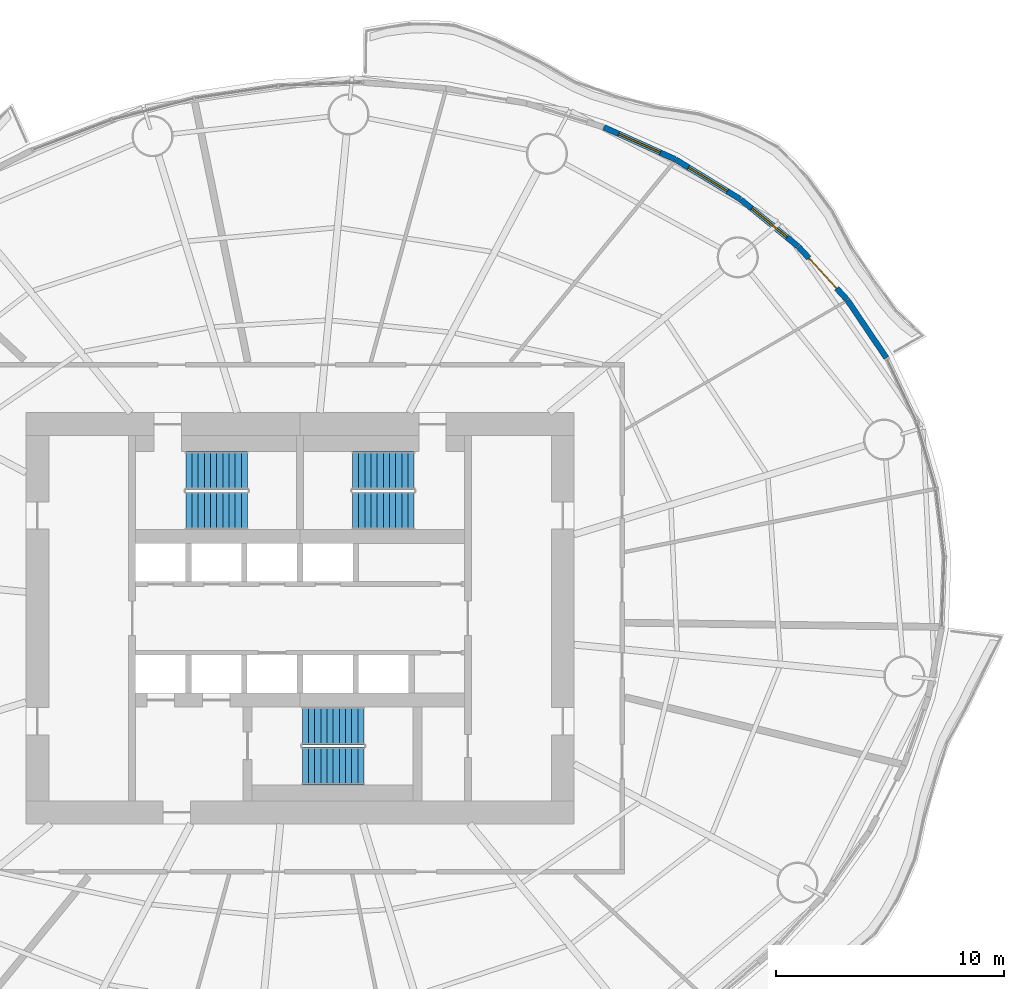
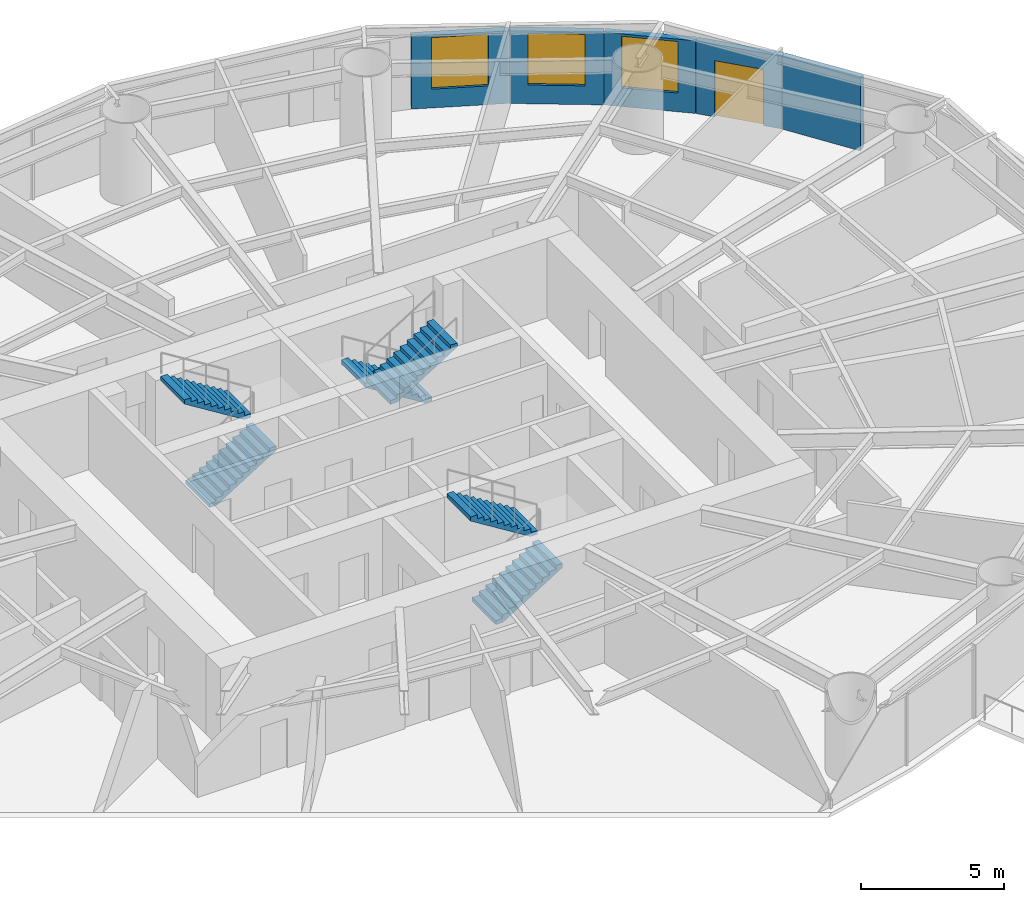
# One storey, part 11 of 16: 6 stair flights, 5 walls, 3 windows, 1 door, 4 openings, 3 elements without a shape of their own.
"""IFC4 building model written with IfcOpenShell, lengths in metres."""

from ifc_helpers import new_model, si_unit, direction, frame, frame_2d, origin, place, context, subcontext, project, spatial, polyline, rectangle, outline, extrude, material, layer, layer_set, type_object, element, fill, aggregate, save


model = new_model("IFC4")

# Units and contexts
model_context = context("Model", 3, precision=1e-05, world=origin(), true_north=direction((0.0, 1.0)))
body_context = subcontext(model_context, "Body", "Model", "MODEL_VIEW")
ifc_project = project(units=[si_unit("LENGTHUNIT", "METRE"), si_unit("AREAUNIT", "SQUARE_METRE"), si_unit("VOLUMEUNIT", "CUBIC_METRE"), si_unit("PLANEANGLEUNIT", "RADIAN"), si_unit("MASSUNIT", "GRAM", prefix="KILO")], contexts=[model_context])

# Site, building, storey
site_placement = place(None, origin())
site = spatial("IfcSite", under=ifc_project, at=site_placement, CompositionType="ELEMENT")
building_placement = place(site_placement, origin())
building = spatial("IfcBuilding", under=site, at=building_placement, Name="Vermilion Reach Broadcast Tower", CompositionType="ELEMENT")
storey_placement = place(building_placement, frame((0.0, 0.0, 80.39990234375)))
storey = spatial("IfcBuildingStorey", under=building, at=storey_placement, Name="L17", CompositionType="ELEMENT", Elevation=80.39990234375)

# Wall
ifc_material_1 = material(Name="Terracotta rainscreen cladding", Category="masonry")
ifc_layer = layer(ifc_material_1, 0.25)
ifc_layer_set = layer_set([ifc_layer], Name="Terracotta rainscreen wall 250")
wall_type = type_object("IfcWallType", Name="Terracotta rainscreen wall 250", PredefinedType="SOLIDWALL", material=ifc_layer_set)
wall_1_placement = place(storey_placement, frame((19.67138671875, 11.404541015625, 0.0), z_axis=(0.0, 0.0, 1.0), x_axis=(-0.559489400894, 0.828837505357, 0.0)))
element("IfcWall", 1, at=wall_1_placement, inside=storey, type_object=wall_type, Name="External wall L17 02", PredefinedType="SOLIDWALL", context=body_context, shape_type="SweptSolid", body=[
    extrude(rectangle(XDim=3.041015625, YDim=0.25, at=frame_2d((1.5205078125, 0.0))), origin(), (0.0, 0.0, 1.0), 3.10009765625),
])

# Wall, opening, door
wall_2_placement = place(storey_placement, frame((17.953369140625, 13.94580078125, 0.0), z_axis=(0.0, 0.0, 1.0), x_axis=(-0.676334681742, 0.736594459844, 0.0)))
wall_2 = element("IfcWall", 2, at=wall_2_placement, inside=storey, type_object=wall_type, Name="External wall L17 03", PredefinedType="SOLIDWALL", context=body_context, shape_type="SweptSolid", body=[
    extrude(rectangle(XDim=3.152099609375, YDim=0.25, at=frame_2d((1.576171875, 0.0))), origin(), (0.0, 0.0, 1.0), 3.10009765625),
])
opening_1_placement = place(wall_2_placement, frame((0.676025390625, 0.0, 0.0)))
opening_1 = element("IfcOpeningElement", 3, at=opening_1_placement, cuts=wall_2, Name="Opening D70", PredefinedType="OPENING", context=body_context, shape_type="SweptSolid", body=[
    extrude(rectangle(XDim=1.800048828125, YDim=2.39990234375, at=frame_2d((0.89990234375, 1.199951171875))), frame((0.0, 0.135009765625, 0.0), z_axis=(0.0, -1.0, 0.0), x_axis=(1.0, 0.0, 0.0)), (0.0, 0.0, 1.0), 0.27001953125),
])
ifc_material_2 = material(Name="Low-e laminated clear glass in aluminium frame", Category="aluminium")
door_type = type_object("IfcDoorType", Name="Balcony sliding door 1800 x 2400", OperationType="DOUBLE_DOOR_SLIDING", PredefinedType="DOOR", material=ifc_material_2)
door_placement = place(opening_1_placement, origin())
door = element("IfcDoor", 4, at=door_placement, inside=storey, type_object=door_type, Name="Balcony door L17 run 01", OperationType="DOUBLE_DOOR_SLIDING", OverallHeight=2.39990234375, OverallWidth=1.800048828125, PredefinedType="DOOR", context=body_context, shape_type="SweptSolid", body=[
    extrude(rectangle(XDim=1.800048828125, YDim=2.39990234375, at=frame_2d((0.89990234375, 1.199951171875))), frame((0.0, 0.02490234375, 0.0), z_axis=(0.0, -1.0, 0.0), x_axis=(1.0, 0.0, 0.0)), (0.0, 0.0, 1.0), 0.050048828125),
])
fill(opening_1, door)

# Wall, opening, window
wall_3_placement = place(storey_placement, frame((15.802734375, 16.285400390625, 0.0), z_axis=(0.0, 0.0, 1.0), x_axis=(-0.774034625391, 0.633143268697, 0.0)))
wall_3 = element("IfcWall", 5, at=wall_3_placement, inside=storey, type_object=wall_type, Name="External wall L17 04", PredefinedType="SOLIDWALL", context=body_context, shape_type="SweptSolid", body=[
    extrude(rectangle(XDim=3.235107421875, YDim=0.25, at=frame_2d((1.61767578125, 0.0))), origin(), (0.0, 0.0, 1.0), 3.10009765625),
])
opening_2_placement = place(wall_3_placement, frame((0.61767578125, 0.0, 0.800048828125)))
opening_2 = element("IfcOpeningElement", 6, at=opening_2_placement, cuts=wall_3, Name="Opening W01", PredefinedType="OPENING", context=body_context, shape_type="SweptSolid", body=[
    extrude(rectangle(XDim=2.0, YDim=2.199951171875, at=frame_2d((1.0, 1.10009765625))), frame((0.0, 0.135009765625, 0.0), z_axis=(0.0, -1.0, 0.0), x_axis=(1.0, 0.0, 0.0)), (0.0, 0.0, 1.0), 0.27001953125),
])
ifc_material_3 = material(Name="Low-e laminated clear glass in aluminium frame", Category="aluminium")
window_type = type_object("IfcWindowType", Name="Punched window 2000 x 2200 sill 800", PartitioningType="SINGLE_PANEL", PredefinedType="WINDOW", material=ifc_material_3)
window_1_placement = place(opening_2_placement, origin())
window_1 = element("IfcWindow", 7, at=window_1_placement, inside=storey, type_object=window_type, Name="Window L17 04", OverallHeight=2.199951171875, OverallWidth=2.0, PartitioningType="SINGLE_PANEL", PredefinedType="WINDOW", context=body_context, shape_type="SweptSolid", body=[
    extrude(rectangle(XDim=2.0, YDim=2.199951171875, at=frame_2d((1.0, 1.10009765625))), frame((0.0, 0.030029296875, 0.0), z_axis=(0.0, -1.0, 0.0), x_axis=(1.0, 0.0, 0.0)), (0.0, 0.0, 1.0), 0.06005859375),
])
fill(opening_2, window_1)

wall_4_placement = place(storey_placement, frame((13.2783203125, 18.34814453125, 0.0), z_axis=(0.0, 0.0, 1.0), x_axis=(-0.85230041537, 0.523052580492, 0.0)))
wall_4 = element("IfcWall", 8, at=wall_4_placement, inside=storey, type_object=wall_type, Name="External wall L17 05", PredefinedType="SOLIDWALL", context=body_context, shape_type="SweptSolid", body=[
    extrude(rectangle(XDim=3.32568359375, YDim=0.25, at=frame_2d((1.662841796875, 0.0))), origin(), (0.0, 0.0, 1.0), 3.10009765625),
])
opening_3_placement = place(wall_4_placement, frame((0.662841796875, 0.0, 0.800048828125)))
opening_3 = element("IfcOpeningElement", 9, at=opening_3_placement, cuts=wall_4, Name="Opening W01", PredefinedType="OPENING", context=body_context, shape_type="SweptSolid", body=[
    extrude(rectangle(XDim=2.0, YDim=2.199951171875, at=frame_2d((1.0, 1.10009765625))), frame((0.0, 0.135009765625, 0.0), z_axis=(0.0, -1.0, 0.0), x_axis=(1.0, 0.0, 0.0)), (0.0, 0.0, 1.0), 0.27001953125),
])
window_2_placement = place(opening_3_placement, origin())
window_2 = element("IfcWindow", 10, at=window_2_placement, inside=storey, type_object=window_type, Name="Window L17 05", OverallHeight=2.199951171875, OverallWidth=2.0, PartitioningType="SINGLE_PANEL", PredefinedType="WINDOW", context=body_context, shape_type="SweptSolid", body=[
    extrude(rectangle(XDim=2.0, YDim=2.199951171875, at=frame_2d((1.0, 1.10009765625))), frame((0.0, 0.030029296875, 0.0), z_axis=(0.0, -1.0, 0.0), x_axis=(1.0, 0.0, 0.0)), (0.0, 0.0, 1.0), 0.06005859375),
])
fill(opening_3, window_2)

wall_5_placement = place(storey_placement, frame((10.422607421875, 20.098876953125, 0.0), z_axis=(0.0, 0.0, 1.0), x_axis=(-0.912234110734, 0.409669290055, 0.0)))
wall_5 = element("IfcWall", 11, at=wall_5_placement, inside=storey, type_object=wall_type, Name="External wall L17 06", PredefinedType="SOLIDWALL", context=body_context, shape_type="SweptSolid", body=[
    extrude(rectangle(XDim=3.41650390625, YDim=0.25, at=frame_2d((1.708251953125, 0.0))), origin(), (0.0, 0.0, 1.0), 3.10009765625),
])
opening_4_placement = place(wall_5_placement, frame((0.708251953125, 0.0, 0.800048828125)))
opening_4 = element("IfcOpeningElement", 12, at=opening_4_placement, cuts=wall_5, Name="Opening W01", PredefinedType="OPENING", context=body_context, shape_type="SweptSolid", body=[
    extrude(rectangle(XDim=2.0, YDim=2.199951171875, at=frame_2d((1.0, 1.10009765625))), frame((0.0, 0.135009765625, 0.0), z_axis=(0.0, -1.0, 0.0), x_axis=(1.0, 0.0, 0.0)), (0.0, 0.0, 1.0), 0.27001953125),
])
window_3_placement = place(opening_4_placement, origin())
window_3 = element("IfcWindow", 13, at=window_3_placement, inside=storey, type_object=window_type, Name="Window L17 06", OverallHeight=2.199951171875, OverallWidth=2.0, PartitioningType="SINGLE_PANEL", PredefinedType="WINDOW", context=body_context, shape_type="SweptSolid", body=[
    extrude(rectangle(XDim=2.0, YDim=2.199951171875, at=frame_2d((1.0, 1.10009765625))), frame((0.0, 0.030029296875, 0.0), z_axis=(0.0, -1.0, 0.0), x_axis=(1.0, 0.0, 0.0)), (0.0, 0.0, 1.0), 0.06005859375),
])
fill(opening_4, window_3)

# Stair, stair flights
ifc_material_4 = material(Name="Concrete C40", Category="concrete")
stair_type = type_object("IfcStairType", Name="Exit stair RC 22 risers 168 mm", PredefinedType="HALF_TURN_STAIR", material=ifc_material_4)
placement = place(storey_placement, origin())
stair_1 = element("IfcStair", 14, at=placement, inside=storey, type_object=stair_type, Name="L17 Exit stair ST1", PredefinedType="HALF_TURN_STAIR")
ifc_material_5 = material(Name="Concrete C40", Category="concrete")
stair_flight_type = type_object("IfcStairFlightType", Name="Exit stair flight RC 11 risers", PredefinedType="STRAIGHT", material=ifc_material_5)
stair_flight_1_placement = place(storey_placement, frame((-11.0, 4.7099609375, 0.0), z_axis=(0.0, 0.0, 1.0), x_axis=(1.0, 0.0, 0.0)))
stair_flight_1 = element("IfcStairFlight", 15, at=stair_flight_1_placement, type_object=stair_flight_type, Name="ST1 flight 1", NumberOfRisers=11, NumberOfTreads=10, PredefinedType="STRAIGHT", RiserHeight=0.168181818, TreadLength=0.27, context=body_context, shape_type="SweptSolid", body=[
    extrude(outline(polyline([(0.0, 0.0), (0.0, 0.168212890625), (0.27001953125, 0.168212890625), (0.27001953125, 0.33642578125), (0.5400390625, 0.33642578125), (0.5400390625, 0.504638671875), (0.81005859375, 0.504638671875), (0.81005859375, 0.672607421875), (1.080078125, 0.672607421875), (1.080078125, 0.8408203125), (1.35009765625, 0.8408203125), (1.35009765625, 1.009033203125), (1.6201171875, 1.009033203125), (1.6201171875, 1.17724609375), (1.889892578125, 1.17724609375), (1.889892578125, 1.345458984375), (2.159912109375, 1.345458984375), (2.159912109375, 1.513671875), (2.429931640625, 1.513671875), (2.429931640625, 1.681884765625), (2.699951171875, 1.681884765625), (2.699951171875, 1.85009765625), (2.699951171875, 1.505126953125), (0.283447265625, 0.0), (0.0, 0.0)])), frame((0.0, 0.830078125, 0.0), z_axis=(0.0, -1.0, 0.0), x_axis=(1.0, 0.0, 0.0)), (0.0, 0.0, 1.0), 1.659912109375),
])
stair_flight_2_placement = place(storey_placement, frame((-8.300048828125, 6.469970703125, 1.85009765625), z_axis=(0.0, 0.0, 1.0), x_axis=(-1.0, 0.0, 0.0)))
stair_flight_2 = element("IfcStairFlight", 16, at=stair_flight_2_placement, type_object=stair_flight_type, Name="ST1 flight 2", NumberOfRisers=11, NumberOfTreads=10, PredefinedType="STRAIGHT", RiserHeight=0.168181818, TreadLength=0.27, context=body_context, shape_type="SweptSolid", body=[
    extrude(outline(polyline([(0.0, 0.0), (0.0, 0.168212890625), (0.27001953125, 0.168212890625), (0.27001953125, 0.33642578125), (0.5400390625, 0.33642578125), (0.5400390625, 0.504638671875), (0.81005859375, 0.504638671875), (0.81005859375, 0.672607421875), (1.080078125, 0.672607421875), (1.080078125, 0.8408203125), (1.35009765625, 0.8408203125), (1.35009765625, 1.009033203125), (1.6201171875, 1.009033203125), (1.6201171875, 1.17724609375), (1.889892578125, 1.17724609375), (1.889892578125, 1.345458984375), (2.159912109375, 1.345458984375), (2.159912109375, 1.513671875), (2.429931640625, 1.513671875), (2.429931640625, 1.681884765625), (2.699951171875, 1.681884765625), (2.699951171875, 1.85009765625), (2.699951171875, 1.505126953125), (0.283447265625, 0.0), (0.0, 0.0)])), frame((0.0, 0.830078125, 0.0), z_axis=(0.0, -1.0, 0.0), x_axis=(1.0, 0.0, 0.0)), (0.0, 0.0, 1.0), 1.659912109375),
])
aggregate(stair_1, [stair_flight_1, stair_flight_2])

stair_2 = element("IfcStair", 17, at=placement, inside=storey, type_object=stair_type, Name="L17 Exit stair ST2", PredefinedType="HALF_TURN_STAIR")
stair_flight_3_placement = place(storey_placement, frame((-1.0, 6.469970703125, 0.0), z_axis=(0.0, 0.0, 1.0), x_axis=(-1.0, 0.0, 0.0)))
stair_flight_3 = element("IfcStairFlight", 18, at=stair_flight_3_placement, type_object=stair_flight_type, Name="ST2 flight 1", NumberOfRisers=11, NumberOfTreads=10, PredefinedType="STRAIGHT", RiserHeight=0.168181818, TreadLength=0.27, context=body_context, shape_type="SweptSolid", body=[
    extrude(outline(polyline([(0.0, 0.0), (0.0, 0.168212890625), (0.27001953125, 0.168212890625), (0.27001953125, 0.33642578125), (0.5400390625, 0.33642578125), (0.5400390625, 0.504638671875), (0.81005859375, 0.504638671875), (0.81005859375, 0.672607421875), (1.080078125, 0.672607421875), (1.080078125, 0.8408203125), (1.35009765625, 0.8408203125), (1.35009765625, 1.009033203125), (1.6201171875, 1.009033203125), (1.6201171875, 1.17724609375), (1.889892578125, 1.17724609375), (1.889892578125, 1.345458984375), (2.159912109375, 1.345458984375), (2.159912109375, 1.513671875), (2.429931640625, 1.513671875), (2.429931640625, 1.681884765625), (2.699951171875, 1.681884765625), (2.699951171875, 1.85009765625), (2.699951171875, 1.505126953125), (0.283447265625, 0.0), (0.0, 0.0)])), frame((0.0, 0.830078125, 0.0), z_axis=(0.0, -1.0, 0.0), x_axis=(1.0, 0.0, 0.0)), (0.0, 0.0, 1.0), 1.659912109375),
])
stair_flight_4_placement = place(storey_placement, frame((-3.699951171875, 4.7099609375, 1.85009765625), z_axis=(0.0, 0.0, 1.0), x_axis=(1.0, 0.0, 0.0)))
stair_flight_4 = element("IfcStairFlight", 19, at=stair_flight_4_placement, type_object=stair_flight_type, Name="ST2 flight 2", NumberOfRisers=11, NumberOfTreads=10, PredefinedType="STRAIGHT", RiserHeight=0.168181818, TreadLength=0.27, context=body_context, shape_type="SweptSolid", body=[
    extrude(outline(polyline([(0.0, 0.0), (0.0, 0.168212890625), (0.27001953125, 0.168212890625), (0.27001953125, 0.33642578125), (0.5400390625, 0.33642578125), (0.5400390625, 0.504638671875), (0.81005859375, 0.504638671875), (0.81005859375, 0.672607421875), (1.080078125, 0.672607421875), (1.080078125, 0.8408203125), (1.35009765625, 0.8408203125), (1.35009765625, 1.009033203125), (1.6201171875, 1.009033203125), (1.6201171875, 1.17724609375), (1.889892578125, 1.17724609375), (1.889892578125, 1.345458984375), (2.159912109375, 1.345458984375), (2.159912109375, 1.513671875), (2.429931640625, 1.513671875), (2.429931640625, 1.681884765625), (2.699951171875, 1.681884765625), (2.699951171875, 1.85009765625), (2.699951171875, 1.505126953125), (0.283447265625, 0.0), (0.0, 0.0)])), frame((0.0, 0.830078125, 0.0), z_axis=(0.0, -1.0, 0.0), x_axis=(1.0, 0.0, 0.0)), (0.0, 0.0, 1.0), 1.659912109375),
])
aggregate(stair_2, [stair_flight_3, stair_flight_4])

stair_3 = element("IfcStair", 20, at=placement, inside=storey, type_object=stair_type, Name="L17 Exit stair ST3", PredefinedType="HALF_TURN_STAIR")
stair_flight_5_placement = place(storey_placement, frame((-5.89990234375, -6.469970703125, 0.0), z_axis=(0.0, 0.0, 1.0), x_axis=(1.0, 0.0, 0.0)))
stair_flight_5 = element("IfcStairFlight", 21, at=stair_flight_5_placement, type_object=stair_flight_type, Name="ST3 flight 1", NumberOfRisers=11, NumberOfTreads=10, PredefinedType="STRAIGHT", RiserHeight=0.168181818, TreadLength=0.27, context=body_context, shape_type="SweptSolid", body=[
    extrude(outline(polyline([(0.0, 0.0), (0.0, 0.168212890625), (0.27001953125, 0.168212890625), (0.27001953125, 0.33642578125), (0.5400390625, 0.33642578125), (0.5400390625, 0.504638671875), (0.81005859375, 0.504638671875), (0.81005859375, 0.672607421875), (1.080078125, 0.672607421875), (1.080078125, 0.8408203125), (1.35009765625, 0.8408203125), (1.35009765625, 1.009033203125), (1.6201171875, 1.009033203125), (1.6201171875, 1.17724609375), (1.889892578125, 1.17724609375), (1.889892578125, 1.345458984375), (2.159912109375, 1.345458984375), (2.159912109375, 1.513671875), (2.429931640625, 1.513671875), (2.429931640625, 1.681884765625), (2.699951171875, 1.681884765625), (2.699951171875, 1.85009765625), (2.699951171875, 1.505126953125), (0.283447265625, 0.0), (0.0, 0.0)])), frame((0.0, 0.830078125, 0.0), z_axis=(0.0, -1.0, 0.0), x_axis=(1.0, 0.0, 0.0)), (0.0, 0.0, 1.0), 1.659912109375),
])
stair_flight_6_placement = place(storey_placement, frame((-3.199951171875, -4.7099609375, 1.85009765625), z_axis=(0.0, 0.0, 1.0), x_axis=(-1.0, 0.0, 0.0)))
stair_flight_6 = element("IfcStairFlight", 22, at=stair_flight_6_placement, type_object=stair_flight_type, Name="ST3 flight 2", NumberOfRisers=11, NumberOfTreads=10, PredefinedType="STRAIGHT", RiserHeight=0.168181818, TreadLength=0.27, context=body_context, shape_type="SweptSolid", body=[
    extrude(outline(polyline([(0.0, 0.0), (0.0, 0.168212890625), (0.27001953125, 0.168212890625), (0.27001953125, 0.33642578125), (0.5400390625, 0.33642578125), (0.5400390625, 0.504638671875), (0.81005859375, 0.504638671875), (0.81005859375, 0.672607421875), (1.080078125, 0.672607421875), (1.080078125, 0.8408203125), (1.35009765625, 0.8408203125), (1.35009765625, 1.009033203125), (1.6201171875, 1.009033203125), (1.6201171875, 1.17724609375), (1.889892578125, 1.17724609375), (1.889892578125, 1.345458984375), (2.159912109375, 1.345458984375), (2.159912109375, 1.513671875), (2.429931640625, 1.513671875), (2.429931640625, 1.681884765625), (2.699951171875, 1.681884765625), (2.699951171875, 1.85009765625), (2.699951171875, 1.505126953125), (0.283447265625, 0.0), (0.0, 0.0)])), frame((0.0, 0.830078125, 0.0), z_axis=(0.0, -1.0, 0.0), x_axis=(1.0, 0.0, 0.0)), (0.0, 0.0, 1.0), 1.659912109375),
])
aggregate(stair_3, [stair_flight_5, stair_flight_6])

save(model, "model.ifc")
